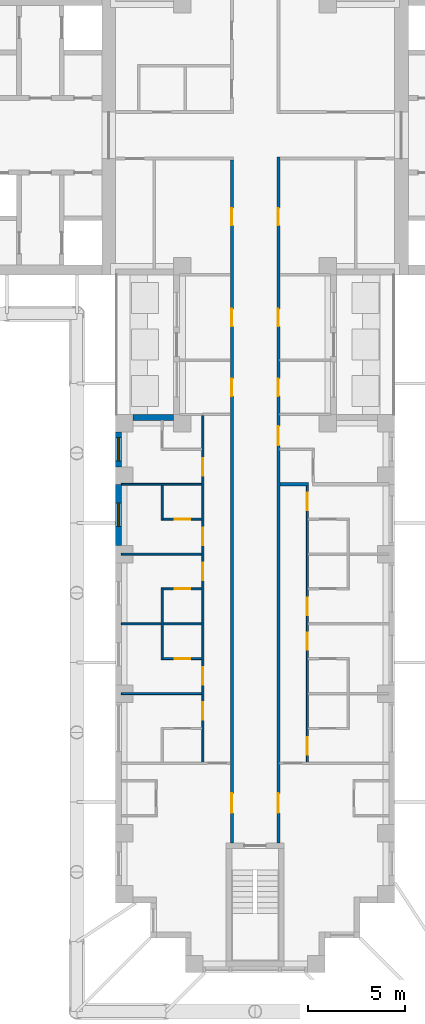
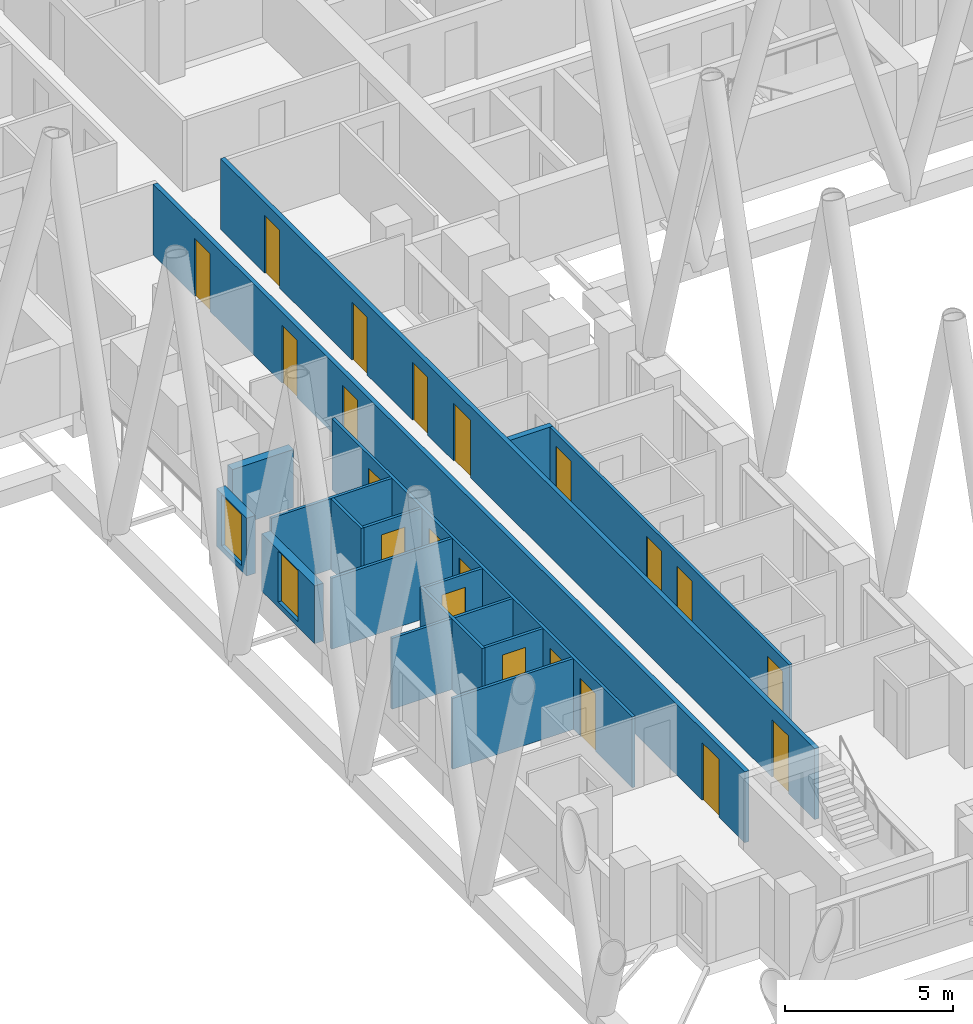
# One storey, part 5 of 16: 21 doors, 17 walls, 2 windows, 23 openings.
"""IFC4 building model written with IfcOpenShell, lengths in metres."""

from ifc_helpers import new_model, si_unit, direction, frame, frame_2d, origin, place, context, subcontext, project, spatial, rectangle, extrude, material, layer, layer_set, type_object, element, fill, save


model = new_model("IFC4")

# Units and contexts
model_context = context("Model", 3, precision=1e-05, world=origin(), true_north=direction((0.0, 1.0)))
body_context = subcontext(model_context, "Body", "Model", "MODEL_VIEW")
ifc_project = project(units=[si_unit("LENGTHUNIT", "METRE"), si_unit("AREAUNIT", "SQUARE_METRE"), si_unit("VOLUMEUNIT", "CUBIC_METRE"), si_unit("PLANEANGLEUNIT", "RADIAN"), si_unit("MASSUNIT", "GRAM", prefix="KILO")], contexts=[model_context])

# Site, building, storey
site_placement = place(None, origin())
site = spatial("IfcSite", under=ifc_project, at=site_placement, CompositionType="ELEMENT")
building_placement = place(site_placement, origin())
building = spatial("IfcBuilding", under=site, at=building_placement, Name="Fustian Cross Tower", CompositionType="ELEMENT")
storey_placement = place(building_placement, frame((0.0, 0.0, 66.89990234375)))
storey = spatial("IfcBuildingStorey", under=building, at=storey_placement, Name="L20", CompositionType="ELEMENT", Elevation=66.89990234375)

# Wall, openings, doors
ifc_material_1 = material(Name="Plasterboard on steel stud", Category="steel")
ifc_layer_1 = layer(ifc_material_1, 0.14990234375)
ifc_layer_set_1 = layer_set([ifc_layer_1], Name="Plasterboard on steel stud")
wall_type_1 = type_object("IfcWallType", Name="COMPARTMENT WALL 150 EI 60", PredefinedType="PARTITIONING", material=ifc_layer_set_1)
wall_1_placement = place(storey_placement, frame((-1.199951171875, -36.5, 0.0), z_axis=(0.0, 0.0, 1.0), x_axis=(0.0, 1.0, 0.0)))
wall_1 = element("IfcWall", 1, at=wall_1_placement, inside=storey, type_object=wall_type_1, Name="Partition 49", PredefinedType="PARTITIONING", context=body_context, shape_type="SweptSolid", body=[
    extrude(rectangle(XDim=35.22509765625, YDim=0.14990234375, at=frame_2d((17.612548828125, 0.0))), origin(), (0.0, 0.0, 1.0), 2.5751953125),
])
opening_1_placement = place(wall_1_placement, frame((31.85009765625, 0.0, 0.0)))
opening_1 = element("IfcOpeningElement", 2, at=opening_1_placement, cuts=wall_1, Name="Opening D11007", PredefinedType="OPENING", context=body_context, shape_type="SweptSolid", body=[
    extrude(rectangle(XDim=0.89990234375, YDim=2.10009765625, at=frame_2d((0.449951171875, 1.050048828125))), frame((0.0, 0.0849609375, 0.0), z_axis=(0.0, -1.0, 0.0), x_axis=(1.0, 0.0, 0.0)), (0.0, 0.0, 1.0), 0.169921875),
])
opening_2_placement = place(wall_1_placement, frame((23.050048828125, 0.0, 0.0)))
opening_2 = element("IfcOpeningElement", 3, at=opening_2_placement, cuts=wall_1, Name="Opening D11051", PredefinedType="OPENING", context=body_context, shape_type="SweptSolid", body=[
    extrude(rectangle(XDim=0.89990234375, YDim=2.10009765625, at=frame_2d((0.449951171875, 1.050048828125))), frame((0.0, 0.0849609375, 0.0), z_axis=(0.0, -1.0, 0.0), x_axis=(1.0, 0.0, 0.0)), (0.0, 0.0, 1.0), 0.169921875),
])
opening_3_placement = place(wall_1_placement, frame((26.64990234375, 0.0, 0.0)))
opening_3 = element("IfcOpeningElement", 4, at=opening_3_placement, cuts=wall_1, Name="Opening D11052", PredefinedType="OPENING", context=body_context, shape_type="SweptSolid", body=[
    extrude(rectangle(XDim=0.89990234375, YDim=2.10009765625, at=frame_2d((0.449951171875, 1.050048828125))), frame((0.0, 0.0849609375, 0.0), z_axis=(0.0, -1.0, 0.0), x_axis=(1.0, 0.0, 0.0)), (0.0, 0.0, 1.0), 0.169921875),
])
opening_4_placement = place(wall_1_placement, frame((1.550048828125, 0.0, 0.0)))
opening_4 = element("IfcOpeningElement", 5, at=opening_4_placement, cuts=wall_1, Name="Opening D11054", PredefinedType="OPENING", context=body_context, shape_type="SweptSolid", body=[
    extrude(rectangle(XDim=1.0, YDim=2.10009765625, at=frame_2d((0.5, 1.050048828125))), frame((0.0, 0.0849609375, 0.0), z_axis=(0.0, -1.0, 0.0), x_axis=(1.0, 0.0, 0.0)), (0.0, 0.0, 1.0), 0.169921875),
])
ifc_material_2 = material(Name="Timber fire door set", Category="wood")
door_type_1 = type_object("IfcDoorType", Name="FIRE SWING DOOR 1000 FD30S", OperationType="SINGLE_SWING_LEFT", PredefinedType="DOOR", material=ifc_material_2)
door_1_placement = place(opening_4_placement, origin())
door_1 = element("IfcDoor", 6, at=door_1_placement, inside=storey, type_object=door_type_1, Name="Door D11054", OperationType="SINGLE_SWING_RIGHT", OverallHeight=2.10009765625, OverallWidth=1.0, PredefinedType="DOOR", context=body_context, shape_type="SweptSolid", body=[
    extrude(rectangle(XDim=1.0, YDim=2.10009765625, at=frame_2d((0.5, 1.050048828125))), frame((0.0, 0.02490234375, 0.0), z_axis=(0.0, -1.0, 0.0), x_axis=(1.0, 0.0, 0.0)), (0.0, 0.0, 1.0), 0.050048828125),
])
fill(opening_4, door_1)
ifc_material_3 = material(Name="Timber fire door set", Category="wood")
door_type_2 = type_object("IfcDoorType", Name="FIRE SWING DOOR 900 FD30S", OperationType="SINGLE_SWING_LEFT", PredefinedType="DOOR", material=ifc_material_3)
door_2_placement = place(opening_1_placement, origin())
door_2 = element("IfcDoor", 7, at=door_2_placement, inside=storey, type_object=door_type_2, Name="Door D11007", OperationType="SINGLE_SWING_LEFT", OverallHeight=2.10009765625, OverallWidth=0.89990234375, PredefinedType="DOOR", context=body_context, shape_type="SweptSolid", body=[
    extrude(rectangle(XDim=0.89990234375, YDim=2.10009765625, at=frame_2d((0.449951171875, 1.050048828125))), frame((0.0, 0.02490234375, 0.0), z_axis=(0.0, -1.0, 0.0), x_axis=(1.0, 0.0, 0.0)), (0.0, 0.0, 1.0), 0.050048828125),
])
fill(opening_1, door_2)
door_3_placement = place(opening_2_placement, origin())
door_3 = element("IfcDoor", 8, at=door_3_placement, inside=storey, type_object=door_type_2, Name="Door D11051", OperationType="SINGLE_SWING_LEFT", OverallHeight=2.10009765625, OverallWidth=0.89990234375, PredefinedType="DOOR", context=body_context, shape_type="SweptSolid", body=[
    extrude(rectangle(XDim=0.89990234375, YDim=2.10009765625, at=frame_2d((0.449951171875, 1.050048828125))), frame((0.0, 0.02490234375, 0.0), z_axis=(0.0, -1.0, 0.0), x_axis=(1.0, 0.0, 0.0)), (0.0, 0.0, 1.0), 0.050048828125),
])
fill(opening_2, door_3)
door_4_placement = place(opening_3_placement, origin())
door_4 = element("IfcDoor", 9, at=door_4_placement, inside=storey, type_object=door_type_2, Name="Door D11052", OperationType="SINGLE_SWING_LEFT", OverallHeight=2.10009765625, OverallWidth=0.89990234375, PredefinedType="DOOR", context=body_context, shape_type="SweptSolid", body=[
    extrude(rectangle(XDim=0.89990234375, YDim=2.10009765625, at=frame_2d((0.449951171875, 1.050048828125))), frame((0.0, 0.02490234375, 0.0), z_axis=(0.0, -1.0, 0.0), x_axis=(1.0, 0.0, 0.0)), (0.0, 0.0, 1.0), 0.050048828125),
])
fill(opening_3, door_4)

wall_2_placement = place(storey_placement, frame((1.199951171875, -36.5, 0.0), z_axis=(0.0, 0.0, 1.0), x_axis=(0.0, 1.0, 0.0)))
wall_2 = element("IfcWall", 10, at=wall_2_placement, inside=storey, type_object=wall_type_1, Name="Partition 52", PredefinedType="PARTITIONING", context=body_context, shape_type="SweptSolid", body=[
    extrude(rectangle(XDim=35.375, YDim=0.14990234375, at=frame_2d((17.6875, 0.0))), origin(), (0.0, 0.0, 1.0), 2.5751953125),
])
opening_5_placement = place(wall_2_placement, frame((31.85009765625, 0.0, 0.0)))
opening_5 = element("IfcOpeningElement", 11, at=opening_5_placement, cuts=wall_2, Name="Opening D11005", PredefinedType="OPENING", context=body_context, shape_type="SweptSolid", body=[
    extrude(rectangle(XDim=0.89990234375, YDim=2.10009765625, at=frame_2d((0.449951171875, 1.050048828125))), frame((0.0, 0.0849609375, 0.0), z_axis=(0.0, -1.0, 0.0), x_axis=(1.0, 0.0, 0.0)), (0.0, 0.0, 1.0), 0.169921875),
])
opening_6_placement = place(wall_2_placement, frame((23.050048828125, 0.0, 0.0)))
opening_6 = element("IfcOpeningElement", 12, at=opening_6_placement, cuts=wall_2, Name="Opening D11036", PredefinedType="OPENING", context=body_context, shape_type="SweptSolid", body=[
    extrude(rectangle(XDim=0.89990234375, YDim=2.10009765625, at=frame_2d((0.449951171875, 1.050048828125))), frame((0.0, 0.0849609375, 0.0), z_axis=(0.0, -1.0, 0.0), x_axis=(1.0, 0.0, 0.0)), (0.0, 0.0, 1.0), 0.169921875),
])
opening_7_placement = place(wall_2_placement, frame((26.64990234375, 0.0, 0.0)))
opening_7 = element("IfcOpeningElement", 13, at=opening_7_placement, cuts=wall_2, Name="Opening D11037", PredefinedType="OPENING", context=body_context, shape_type="SweptSolid", body=[
    extrude(rectangle(XDim=0.89990234375, YDim=2.10009765625, at=frame_2d((0.449951171875, 1.050048828125))), frame((0.0, 0.0849609375, 0.0), z_axis=(0.0, -1.0, 0.0), x_axis=(1.0, 0.0, 0.0)), (0.0, 0.0, 1.0), 0.169921875),
])
opening_8_placement = place(wall_2_placement, frame((20.5, 0.0, 0.0)))
opening_8 = element("IfcOpeningElement", 14, at=opening_8_placement, cuts=wall_2, Name="Opening D11039", PredefinedType="OPENING", context=body_context, shape_type="SweptSolid", body=[
    extrude(rectangle(XDim=1.0, YDim=2.10009765625, at=frame_2d((0.5, 1.050048828125))), frame((0.0, 0.0849609375, 0.0), z_axis=(0.0, -1.0, 0.0), x_axis=(1.0, 0.0, 0.0)), (0.0, 0.0, 1.0), 0.169921875),
])
opening_9_placement = place(wall_2_placement, frame((1.550048828125, 0.0, 0.0)))
opening_9 = element("IfcOpeningElement", 15, at=opening_9_placement, cuts=wall_2, Name="Opening D11041", PredefinedType="OPENING", context=body_context, shape_type="SweptSolid", body=[
    extrude(rectangle(XDim=1.0, YDim=2.10009765625, at=frame_2d((0.5, 1.050048828125))), frame((0.0, 0.0849609375, 0.0), z_axis=(0.0, -1.0, 0.0), x_axis=(1.0, 0.0, 0.0)), (0.0, 0.0, 1.0), 0.169921875),
])
door_5_placement = place(opening_8_placement, frame((1.0, 0.0, 0.0), z_axis=(0.0, 0.0, 1.0), x_axis=(-1.0, 0.0, 0.0)))
door_5 = element("IfcDoor", 16, at=door_5_placement, inside=storey, type_object=door_type_1, Name="Door D11039", OperationType="SINGLE_SWING_RIGHT", OverallHeight=2.10009765625, OverallWidth=1.0, PredefinedType="DOOR", context=body_context, shape_type="SweptSolid", body=[
    extrude(rectangle(XDim=1.0, YDim=2.10009765625, at=frame_2d((0.5, 1.050048828125))), frame((0.0, 0.02490234375, 0.0), z_axis=(0.0, -1.0, 0.0), x_axis=(1.0, 0.0, 0.0)), (0.0, 0.0, 1.0), 0.050048828125),
])
fill(opening_8, door_5)
door_6_placement = place(opening_9_placement, frame((1.0, 0.0, 0.0), z_axis=(0.0, 0.0, 1.0), x_axis=(-1.0, 0.0, 0.0)))
door_6 = element("IfcDoor", 17, at=door_6_placement, inside=storey, type_object=door_type_1, Name="Door D11041", OperationType="SINGLE_SWING_LEFT", OverallHeight=2.10009765625, OverallWidth=1.0, PredefinedType="DOOR", context=body_context, shape_type="SweptSolid", body=[
    extrude(rectangle(XDim=1.0, YDim=2.10009765625, at=frame_2d((0.5, 1.050048828125))), frame((0.0, 0.02490234375, 0.0), z_axis=(0.0, -1.0, 0.0), x_axis=(1.0, 0.0, 0.0)), (0.0, 0.0, 1.0), 0.050048828125),
])
fill(opening_9, door_6)
door_7_placement = place(opening_5_placement, frame((0.89990234375, 0.0, 0.0), z_axis=(0.0, 0.0, 1.0), x_axis=(-1.0, 0.0, 0.0)))
door_7 = element("IfcDoor", 18, at=door_7_placement, inside=storey, type_object=door_type_2, Name="Door D11005", OperationType="SINGLE_SWING_RIGHT", OverallHeight=2.10009765625, OverallWidth=0.89990234375, PredefinedType="DOOR", context=body_context, shape_type="SweptSolid", body=[
    extrude(rectangle(XDim=0.89990234375, YDim=2.10009765625, at=frame_2d((0.449951171875, 1.050048828125))), frame((0.0, 0.02490234375, 0.0), z_axis=(0.0, -1.0, 0.0), x_axis=(1.0, 0.0, 0.0)), (0.0, 0.0, 1.0), 0.050048828125),
])
fill(opening_5, door_7)
door_8_placement = place(opening_6_placement, frame((0.89990234375, 0.0, 0.0), z_axis=(0.0, 0.0, 1.0), x_axis=(-1.0, 0.0, 0.0)))
door_8 = element("IfcDoor", 19, at=door_8_placement, inside=storey, type_object=door_type_2, Name="Door D11036", OperationType="SINGLE_SWING_RIGHT", OverallHeight=2.10009765625, OverallWidth=0.89990234375, PredefinedType="DOOR", context=body_context, shape_type="SweptSolid", body=[
    extrude(rectangle(XDim=0.89990234375, YDim=2.10009765625, at=frame_2d((0.449951171875, 1.050048828125))), frame((0.0, 0.02490234375, 0.0), z_axis=(0.0, -1.0, 0.0), x_axis=(1.0, 0.0, 0.0)), (0.0, 0.0, 1.0), 0.050048828125),
])
fill(opening_6, door_8)
door_9_placement = place(opening_7_placement, frame((0.89990234375, 0.0, 0.0), z_axis=(0.0, 0.0, 1.0), x_axis=(-1.0, 0.0, 0.0)))
door_9 = element("IfcDoor", 20, at=door_9_placement, inside=storey, type_object=door_type_2, Name="Door D11037", OperationType="SINGLE_SWING_RIGHT", OverallHeight=2.10009765625, OverallWidth=0.89990234375, PredefinedType="DOOR", context=body_context, shape_type="SweptSolid", body=[
    extrude(rectangle(XDim=0.89990234375, YDim=2.10009765625, at=frame_2d((0.449951171875, 1.050048828125))), frame((0.0, 0.02490234375, 0.0), z_axis=(0.0, -1.0, 0.0), x_axis=(1.0, 0.0, 0.0)), (0.0, 0.0, 1.0), 0.050048828125),
])
fill(opening_7, door_9)

# Walls
ifc_material_4 = material(Name="Plasterboard on steel stud", Category="steel")
ifc_layer_2 = layer(ifc_material_4, 0.10009765625)
ifc_layer_set_2 = layer_set([ifc_layer_2], Name="Plasterboard on steel stud")
wall_type_2 = type_object("IfcWallType", Name="PARTITION 100 STUD", PredefinedType="PARTITIONING", material=ifc_layer_set_2)
for number, where, z_axis, x_axis, name in (
    (21, (-6.89990234375, -28.800048828125, 0.0), (0.0, 0.0, 1.0), (1.0, 0.0, 0.0), "Partition 21"),
    (22, (-6.89990234375, -25.199951171875, 0.0), (0.0, 0.0, 1.0), (1.0, 0.0, 0.0), "Partition 22"),
    (23, (-6.89990234375, -21.60009765625, 0.0), (0.0, 0.0, 1.0), (1.0, 0.0, 0.0), "Partition 23"),
    (24, (-6.89990234375, -18.0, 0.0), (0.0, 0.0, 1.0), (1.0, 0.0, 0.0), "Partition 24"),
):
    element("IfcWall", number, at=place(storey_placement, frame(where, z_axis=z_axis, x_axis=x_axis)), inside=storey, type_object=wall_type_2, Name=name, PredefinedType="PARTITIONING", context=body_context, shape_type="SweptSolid", body=[
        extrude(rectangle(XDim=4.14990234375, YDim=0.10009765625, at=frame_2d((2.074951171875, 0.0))), origin(), (0.0, 0.0, 1.0), 2.5751953125),
    ])
wall_3_placement = place(storey_placement, frame((-4.800048828125, -27.050048828125, 0.0), z_axis=(0.0, 0.0, 1.0), x_axis=(0.0, 1.0, 0.0)))
element("IfcWall", 25, at=wall_3_placement, inside=storey, type_object=wall_type_2, Name="Partition 31", PredefinedType="PARTITIONING", context=body_context, shape_type="SweptSolid", body=[
    extrude(rectangle(XDim=3.699951171875, YDim=0.10009765625, at=frame_2d((1.85009765625, 0.0))), origin(), (0.0, 0.0, 1.0), 2.5751953125),
])

# Wall, opening, door
wall_4_placement = place(storey_placement, frame((-4.75, -27.0, 0.0), z_axis=(0.0, 0.0, 1.0), x_axis=(1.0, 0.0, 0.0)))
wall_4 = element("IfcWall", 26, at=wall_4_placement, inside=storey, type_object=wall_type_2, Name="Partition 32", PredefinedType="PARTITIONING", context=body_context, shape_type="SweptSolid", body=[
    extrude(rectangle(XDim=2.0, YDim=0.10009765625, at=frame_2d((1.0, 0.0))), origin(), (0.0, 0.0, 1.0), 2.5751953125),
])
opening_10_placement = place(wall_4_placement, frame((0.60009765625, 0.0, 0.0)))
opening_10 = element("IfcOpeningElement", 27, at=opening_10_placement, cuts=wall_4, Name="Opening D11064", PredefinedType="OPENING", context=body_context, shape_type="SweptSolid", body=[
    extrude(rectangle(XDim=0.800048828125, YDim=2.10009765625, at=frame_2d((0.39990234375, 1.050048828125))), frame((0.0, 0.06005859375, 0.0), z_axis=(0.0, -1.0, 0.0), x_axis=(1.0, 0.0, 0.0)), (0.0, 0.0, 1.0), 0.1201171875),
])
ifc_material_5 = material(Name="Painted timber", Category="wood")
door_type_3 = type_object("IfcDoorType", Name="SWING DOOR 800", OperationType="SINGLE_SWING_LEFT", PredefinedType="DOOR", material=ifc_material_5)
door_10_placement = place(opening_10_placement, origin())
door_10 = element("IfcDoor", 28, at=door_10_placement, inside=storey, type_object=door_type_3, Name="Door D11064", OperationType="SINGLE_SWING_LEFT", OverallHeight=2.10009765625, OverallWidth=0.800048828125, PredefinedType="DOOR", context=body_context, shape_type="SweptSolid", body=[
    extrude(rectangle(XDim=0.800048828125, YDim=2.10009765625, at=frame_2d((0.39990234375, 1.050048828125))), frame((0.0, 0.02490234375, 0.0), z_axis=(0.0, -1.0, 0.0), x_axis=(1.0, 0.0, 0.0)), (0.0, 0.0, 1.0), 0.050048828125),
])
fill(opening_10, door_10)

wall_5_placement = place(storey_placement, frame((-4.75, -23.39990234375, 0.0), z_axis=(0.0, 0.0, 1.0), x_axis=(1.0, 0.0, 0.0)))
wall_5 = element("IfcWall", 29, at=wall_5_placement, inside=storey, type_object=wall_type_2, Name="Partition 33", PredefinedType="PARTITIONING", context=body_context, shape_type="SweptSolid", body=[
    extrude(rectangle(XDim=2.0, YDim=0.10009765625, at=frame_2d((1.0, 0.0))), origin(), (0.0, 0.0, 1.0), 2.5751953125),
])
opening_11_placement = place(wall_5_placement, frame((0.60009765625, 0.0, 0.0)))
opening_11 = element("IfcOpeningElement", 30, at=opening_11_placement, cuts=wall_5, Name="Opening D11063", PredefinedType="OPENING", context=body_context, shape_type="SweptSolid", body=[
    extrude(rectangle(XDim=0.800048828125, YDim=2.10009765625, at=frame_2d((0.39990234375, 1.050048828125))), frame((0.0, 0.06005859375, 0.0), z_axis=(0.0, -1.0, 0.0), x_axis=(1.0, 0.0, 0.0)), (0.0, 0.0, 1.0), 0.1201171875),
])
door_11_placement = place(opening_11_placement, frame((0.800048828125, 0.0, 0.0), z_axis=(0.0, 0.0, 1.0), x_axis=(-1.0, 0.0, 0.0)))
door_11 = element("IfcDoor", 31, at=door_11_placement, inside=storey, type_object=door_type_3, Name="Door D11063", OperationType="SINGLE_SWING_RIGHT", OverallHeight=2.10009765625, OverallWidth=0.800048828125, PredefinedType="DOOR", context=body_context, shape_type="SweptSolid", body=[
    extrude(rectangle(XDim=0.800048828125, YDim=2.10009765625, at=frame_2d((0.39990234375, 1.050048828125))), frame((0.0, 0.02490234375, 0.0), z_axis=(0.0, -1.0, 0.0), x_axis=(1.0, 0.0, 0.0)), (0.0, 0.0, 1.0), 0.050048828125),
])
fill(opening_11, door_11)

# Wall
wall_6_placement = place(storey_placement, frame((-4.800048828125, -19.85009765625, 0.0), z_axis=(0.0, 0.0, 1.0), x_axis=(0.0, 1.0, 0.0)))
element("IfcWall", 32, at=wall_6_placement, inside=storey, type_object=wall_type_2, Name="Partition 34", PredefinedType="PARTITIONING", context=body_context, shape_type="SweptSolid", body=[
    extrude(rectangle(XDim=1.800048828125, YDim=0.10009765625, at=frame_2d((0.89990234375, 0.0))), origin(), (0.0, 0.0, 1.0), 2.5751953125),
])

# Wall, opening, door
wall_7_placement = place(storey_placement, frame((-4.75, -19.800048828125, 0.0), z_axis=(0.0, 0.0, 1.0), x_axis=(1.0, 0.0, 0.0)))
wall_7 = element("IfcWall", 33, at=wall_7_placement, inside=storey, type_object=wall_type_2, Name="Partition 35", PredefinedType="PARTITIONING", context=body_context, shape_type="SweptSolid", body=[
    extrude(rectangle(XDim=2.0, YDim=0.10009765625, at=frame_2d((1.0, 0.0))), origin(), (0.0, 0.0, 1.0), 2.5751953125),
])
opening_12_placement = place(wall_7_placement, frame((0.60009765625, 0.0, 0.0)))
opening_12 = element("IfcOpeningElement", 34, at=opening_12_placement, cuts=wall_7, Name="Opening D11062", PredefinedType="OPENING", context=body_context, shape_type="SweptSolid", body=[
    extrude(rectangle(XDim=0.800048828125, YDim=2.10009765625, at=frame_2d((0.39990234375, 1.050048828125))), frame((0.0, 0.06005859375, 0.0), z_axis=(0.0, -1.0, 0.0), x_axis=(1.0, 0.0, 0.0)), (0.0, 0.0, 1.0), 0.1201171875),
])
door_12_placement = place(opening_12_placement, origin())
door_12 = element("IfcDoor", 35, at=door_12_placement, inside=storey, type_object=door_type_3, Name="Door D11062", OperationType="SINGLE_SWING_LEFT", OverallHeight=2.10009765625, OverallWidth=0.800048828125, PredefinedType="DOOR", context=body_context, shape_type="SweptSolid", body=[
    extrude(rectangle(XDim=0.800048828125, YDim=2.10009765625, at=frame_2d((0.39990234375, 1.050048828125))), frame((0.0, 0.02490234375, 0.0), z_axis=(0.0, -1.0, 0.0), x_axis=(1.0, 0.0, 0.0)), (0.0, 0.0, 1.0), 0.050048828125),
])
fill(opening_12, door_12)

# Wall, openings, doors
wall_8_placement = place(storey_placement, frame((-2.699951171875, -32.35009765625, 0.0), z_axis=(0.0, 0.0, 1.0), x_axis=(0.0, 1.0, 0.0)))
wall_8 = element("IfcWall", 36, at=wall_8_placement, inside=storey, type_object=wall_type_2, Name="Partition 47", PredefinedType="PARTITIONING", context=body_context, shape_type="SweptSolid", body=[
    extrude(rectangle(XDim=17.8876953125, YDim=0.10009765625, at=frame_2d((8.94384765625, 0.0))), origin(), (0.0, 0.0, 1.0), 2.5751953125),
])
opening_13_placement = place(wall_8_placement, frame((2.199951171875, 0.0, 0.0)))
opening_13 = element("IfcOpeningElement", 37, at=opening_13_placement, cuts=wall_8, Name="Opening D11055", PredefinedType="OPENING", context=body_context, shape_type="SweptSolid", body=[
    extrude(rectangle(XDim=0.89990234375, YDim=2.10009765625, at=frame_2d((0.449951171875, 1.050048828125))), frame((0.0, 0.06005859375, 0.0), z_axis=(0.0, -1.0, 0.0), x_axis=(1.0, 0.0, 0.0)), (0.0, 0.0, 1.0), 0.1201171875),
])
opening_14_placement = place(wall_8_placement, frame((4.0, 0.0, 0.0)))
opening_14 = element("IfcOpeningElement", 38, at=opening_14_placement, cuts=wall_8, Name="Opening D11056", PredefinedType="OPENING", context=body_context, shape_type="SweptSolid", body=[
    extrude(rectangle(XDim=0.89990234375, YDim=2.10009765625, at=frame_2d((0.449951171875, 1.050048828125))), frame((0.0, 0.06005859375, 0.0), z_axis=(0.0, -1.0, 0.0), x_axis=(1.0, 0.0, 0.0)), (0.0, 0.0, 1.0), 0.1201171875),
])
opening_15_placement = place(wall_8_placement, frame((9.39990234375, 0.0, 0.0)))
opening_15 = element("IfcOpeningElement", 39, at=opening_15_placement, cuts=wall_8, Name="Opening D11057", PredefinedType="OPENING", context=body_context, shape_type="SweptSolid", body=[
    extrude(rectangle(XDim=0.89990234375, YDim=2.10009765625, at=frame_2d((0.449951171875, 1.050048828125))), frame((0.0, 0.06005859375, 0.0), z_axis=(0.0, -1.0, 0.0), x_axis=(1.0, 0.0, 0.0)), (0.0, 0.0, 1.0), 0.1201171875),
])
opening_16_placement = place(wall_8_placement, frame((11.199951171875, 0.0, 0.0)))
opening_16 = element("IfcOpeningElement", 40, at=opening_16_placement, cuts=wall_8, Name="Opening D11058", PredefinedType="OPENING", context=body_context, shape_type="SweptSolid", body=[
    extrude(rectangle(XDim=0.89990234375, YDim=2.10009765625, at=frame_2d((0.449951171875, 1.050048828125))), frame((0.0, 0.06005859375, 0.0), z_axis=(0.0, -1.0, 0.0), x_axis=(1.0, 0.0, 0.0)), (0.0, 0.0, 1.0), 0.1201171875),
])
opening_17_placement = place(wall_8_placement, frame((14.800048828125, 0.0, 0.0)))
opening_17 = element("IfcOpeningElement", 41, at=opening_17_placement, cuts=wall_8, Name="Opening D11059", PredefinedType="OPENING", context=body_context, shape_type="SweptSolid", body=[
    extrude(rectangle(XDim=0.89990234375, YDim=2.10009765625, at=frame_2d((0.449951171875, 1.050048828125))), frame((0.0, 0.06005859375, 0.0), z_axis=(0.0, -1.0, 0.0), x_axis=(1.0, 0.0, 0.0)), (0.0, 0.0, 1.0), 0.1201171875),
])
ifc_material_6 = material(Name="Painted timber", Category="wood")
door_type_4 = type_object("IfcDoorType", Name="SWING DOOR 900", OperationType="SINGLE_SWING_LEFT", PredefinedType="DOOR", material=ifc_material_6)
door_13_placement = place(opening_13_placement, origin())
door_13 = element("IfcDoor", 42, at=door_13_placement, inside=storey, type_object=door_type_4, Name="Door D11055", OperationType="SINGLE_SWING_LEFT", OverallHeight=2.10009765625, OverallWidth=0.89990234375, PredefinedType="DOOR", context=body_context, shape_type="SweptSolid", body=[
    extrude(rectangle(XDim=0.89990234375, YDim=2.10009765625, at=frame_2d((0.449951171875, 1.050048828125))), frame((0.0, 0.02490234375, 0.0), z_axis=(0.0, -1.0, 0.0), x_axis=(1.0, 0.0, 0.0)), (0.0, 0.0, 1.0), 0.050048828125),
])
fill(opening_13, door_13)
door_14_placement = place(opening_14_placement, origin())
door_14 = element("IfcDoor", 43, at=door_14_placement, inside=storey, type_object=door_type_4, Name="Door D11056", OperationType="SINGLE_SWING_LEFT", OverallHeight=2.10009765625, OverallWidth=0.89990234375, PredefinedType="DOOR", context=body_context, shape_type="SweptSolid", body=[
    extrude(rectangle(XDim=0.89990234375, YDim=2.10009765625, at=frame_2d((0.449951171875, 1.050048828125))), frame((0.0, 0.02490234375, 0.0), z_axis=(0.0, -1.0, 0.0), x_axis=(1.0, 0.0, 0.0)), (0.0, 0.0, 1.0), 0.050048828125),
])
fill(opening_14, door_14)
door_15_placement = place(opening_15_placement, origin())
door_15 = element("IfcDoor", 44, at=door_15_placement, inside=storey, type_object=door_type_4, Name="Door D11057", OperationType="SINGLE_SWING_LEFT", OverallHeight=2.10009765625, OverallWidth=0.89990234375, PredefinedType="DOOR", context=body_context, shape_type="SweptSolid", body=[
    extrude(rectangle(XDim=0.89990234375, YDim=2.10009765625, at=frame_2d((0.449951171875, 1.050048828125))), frame((0.0, 0.02490234375, 0.0), z_axis=(0.0, -1.0, 0.0), x_axis=(1.0, 0.0, 0.0)), (0.0, 0.0, 1.0), 0.050048828125),
])
fill(opening_15, door_15)
door_16_placement = place(opening_16_placement, origin())
door_16 = element("IfcDoor", 45, at=door_16_placement, inside=storey, type_object=door_type_4, Name="Door D11058", OperationType="SINGLE_SWING_LEFT", OverallHeight=2.10009765625, OverallWidth=0.89990234375, PredefinedType="DOOR", context=body_context, shape_type="SweptSolid", body=[
    extrude(rectangle(XDim=0.89990234375, YDim=2.10009765625, at=frame_2d((0.449951171875, 1.050048828125))), frame((0.0, 0.02490234375, 0.0), z_axis=(0.0, -1.0, 0.0), x_axis=(1.0, 0.0, 0.0)), (0.0, 0.0, 1.0), 0.050048828125),
])
fill(opening_16, door_16)
door_17_placement = place(opening_17_placement, origin())
door_17 = element("IfcDoor", 46, at=door_17_placement, inside=storey, type_object=door_type_4, Name="Door D11059", OperationType="SINGLE_SWING_LEFT", OverallHeight=2.10009765625, OverallWidth=0.89990234375, PredefinedType="DOOR", context=body_context, shape_type="SweptSolid", body=[
    extrude(rectangle(XDim=0.89990234375, YDim=2.10009765625, at=frame_2d((0.449951171875, 1.050048828125))), frame((0.0, 0.02490234375, 0.0), z_axis=(0.0, -1.0, 0.0), x_axis=(1.0, 0.0, 0.0)), (0.0, 0.0, 1.0), 0.050048828125),
])
fill(opening_17, door_17)

wall_9_placement = place(storey_placement, frame((2.699951171875, -32.35009765625, 0.0), z_axis=(0.0, 0.0, 1.0), x_axis=(0.0, 1.0, 0.0)))
wall_9 = element("IfcWall", 47, at=wall_9_placement, inside=storey, type_object=wall_type_2, Name="Partition 67", PredefinedType="PARTITIONING", context=body_context, shape_type="SweptSolid", body=[
    extrude(rectangle(XDim=14.25, YDim=0.10009765625, at=frame_2d((7.125, 0.0))), origin(), (0.0, 0.0, 1.0), 2.5751953125),
])
opening_18_placement = place(wall_9_placement, frame((0.400146484375, 0.0, 0.0)))
opening_18 = element("IfcOpeningElement", 48, at=opening_18_placement, cuts=wall_9, Name="Opening D11043", PredefinedType="OPENING", context=body_context, shape_type="SweptSolid", body=[
    extrude(rectangle(XDim=0.89990234375, YDim=2.10009765625, at=frame_2d((0.449951171875, 1.050048828125))), frame((0.0, 0.06005859375, 0.0), z_axis=(0.0, -1.0, 0.0), x_axis=(1.0, 0.0, 0.0)), (0.0, 0.0, 1.0), 0.1201171875),
])
opening_19_placement = place(wall_9_placement, frame((5.800048828125, 0.0, 0.0)))
opening_19 = element("IfcOpeningElement", 49, at=opening_19_placement, cuts=wall_9, Name="Opening D11044", PredefinedType="OPENING", context=body_context, shape_type="SweptSolid", body=[
    extrude(rectangle(XDim=0.89990234375, YDim=2.10009765625, at=frame_2d((0.449951171875, 1.050048828125))), frame((0.0, 0.06005859375, 0.0), z_axis=(0.0, -1.0, 0.0), x_axis=(1.0, 0.0, 0.0)), (0.0, 0.0, 1.0), 0.1201171875),
])
opening_20_placement = place(wall_9_placement, frame((7.60009765625, 0.0, 0.0)))
opening_20 = element("IfcOpeningElement", 50, at=opening_20_placement, cuts=wall_9, Name="Opening D11045", PredefinedType="OPENING", context=body_context, shape_type="SweptSolid", body=[
    extrude(rectangle(XDim=0.89990234375, YDim=2.10009765625, at=frame_2d((0.449951171875, 1.050048828125))), frame((0.0, 0.06005859375, 0.0), z_axis=(0.0, -1.0, 0.0), x_axis=(1.0, 0.0, 0.0)), (0.0, 0.0, 1.0), 0.1201171875),
])
opening_21_placement = place(wall_9_placement, frame((13.0, 0.0, 0.0)))
opening_21 = element("IfcOpeningElement", 51, at=opening_21_placement, cuts=wall_9, Name="Opening D11046", PredefinedType="OPENING", context=body_context, shape_type="SweptSolid", body=[
    extrude(rectangle(XDim=0.89990234375, YDim=2.10009765625, at=frame_2d((0.449951171875, 1.050048828125))), frame((0.0, 0.06005859375, 0.0), z_axis=(0.0, -1.0, 0.0), x_axis=(1.0, 0.0, 0.0)), (0.0, 0.0, 1.0), 0.1201171875),
])
door_18_placement = place(opening_18_placement, frame((0.89990234375, 0.0, 0.0), z_axis=(0.0, 0.0, 1.0), x_axis=(-1.0, 0.0, 0.0)))
door_18 = element("IfcDoor", 52, at=door_18_placement, inside=storey, type_object=door_type_4, Name="Door D11043", OperationType="SINGLE_SWING_RIGHT", OverallHeight=2.10009765625, OverallWidth=0.89990234375, PredefinedType="DOOR", context=body_context, shape_type="SweptSolid", body=[
    extrude(rectangle(XDim=0.89990234375, YDim=2.10009765625, at=frame_2d((0.449951171875, 1.050048828125))), frame((0.0, 0.02490234375, 0.0), z_axis=(0.0, -1.0, 0.0), x_axis=(1.0, 0.0, 0.0)), (0.0, 0.0, 1.0), 0.050048828125),
])
fill(opening_18, door_18)
door_19_placement = place(opening_19_placement, frame((0.89990234375, 0.0, 0.0), z_axis=(0.0, 0.0, 1.0), x_axis=(-1.0, 0.0, 0.0)))
door_19 = element("IfcDoor", 53, at=door_19_placement, inside=storey, type_object=door_type_4, Name="Door D11044", OperationType="SINGLE_SWING_RIGHT", OverallHeight=2.10009765625, OverallWidth=0.89990234375, PredefinedType="DOOR", context=body_context, shape_type="SweptSolid", body=[
    extrude(rectangle(XDim=0.89990234375, YDim=2.10009765625, at=frame_2d((0.449951171875, 1.050048828125))), frame((0.0, 0.02490234375, 0.0), z_axis=(0.0, -1.0, 0.0), x_axis=(1.0, 0.0, 0.0)), (0.0, 0.0, 1.0), 0.050048828125),
])
fill(opening_19, door_19)
door_20_placement = place(opening_20_placement, frame((0.89990234375, 0.0, 0.0), z_axis=(0.0, 0.0, 1.0), x_axis=(-1.0, 0.0, 0.0)))
door_20 = element("IfcDoor", 54, at=door_20_placement, inside=storey, type_object=door_type_4, Name="Door D11045", OperationType="SINGLE_SWING_RIGHT", OverallHeight=2.10009765625, OverallWidth=0.89990234375, PredefinedType="DOOR", context=body_context, shape_type="SweptSolid", body=[
    extrude(rectangle(XDim=0.89990234375, YDim=2.10009765625, at=frame_2d((0.449951171875, 1.050048828125))), frame((0.0, 0.02490234375, 0.0), z_axis=(0.0, -1.0, 0.0), x_axis=(1.0, 0.0, 0.0)), (0.0, 0.0, 1.0), 0.050048828125),
])
fill(opening_20, door_20)
door_21_placement = place(opening_21_placement, frame((0.89990234375, 0.0, 0.0), z_axis=(0.0, 0.0, 1.0), x_axis=(-1.0, 0.0, 0.0)))
door_21 = element("IfcDoor", 55, at=door_21_placement, inside=storey, type_object=door_type_4, Name="Door D11046", OperationType="SINGLE_SWING_RIGHT", OverallHeight=2.10009765625, OverallWidth=0.89990234375, PredefinedType="DOOR", context=body_context, shape_type="SweptSolid", body=[
    extrude(rectangle(XDim=0.89990234375, YDim=2.10009765625, at=frame_2d((0.449951171875, 1.050048828125))), frame((0.0, 0.02490234375, 0.0), z_axis=(0.0, -1.0, 0.0), x_axis=(1.0, 0.0, 0.0)), (0.0, 0.0, 1.0), 0.050048828125),
])
fill(opening_21, door_21)

# Walls
ifc_material_7 = material(Name="Plasterboard on steel stud", Category="steel")
ifc_layer_3 = layer(ifc_material_7, 0.199951171875)
ifc_layer_set_3 = layer_set([ifc_layer_3], Name="Plasterboard on steel stud")
wall_type_3 = type_object("IfcWallType", Name="PARTY WALL 200 EI 60", PredefinedType="PARTITIONING", material=ifc_layer_set_3)
wall_10_placement = place(storey_placement, frame((1.27490234375, -18.0, 0.0), z_axis=(0.0, 0.0, 1.0), x_axis=(1.0, 0.0, 0.0)))
element("IfcWall", 56, at=wall_10_placement, inside=storey, type_object=wall_type_3, Name="Partition 54", PredefinedType="PARTITIONING", context=body_context, shape_type="SweptSolid", body=[
    extrude(rectangle(XDim=1.47509765625, YDim=0.199951171875, at=frame_2d((0.737548828125, 0.0))), origin(), (0.0, 0.0, 1.0), 2.5751953125),
])
ifc_material_8 = material(Name="Dark aluminium cladding on insulated backing wall", Category="aluminium")
ifc_layer_4 = layer(ifc_material_8, 0.300048828125)
ifc_layer_set_4 = layer_set([ifc_layer_4], Name="Dark aluminium cladding on insulated backing wall")
wall_type_4 = type_object("IfcWallType", Name="XW1 EXTERNAL WALL 300", PredefinedType="SOLIDWALL", material=ifc_layer_set_4)
wall_11_placement = place(storey_placement, frame((-4.199951171875, -14.550048828125, 0.0), z_axis=(0.0, 0.0, 1.0), x_axis=(-1.0, 0.0, 0.0)))
element("IfcWall", 57, at=wall_11_placement, inside=storey, type_object=wall_type_4, Name="External wall", PredefinedType="SOLIDWALL", context=body_context, shape_type="SweptSolid", body=[
    extrude(rectangle(XDim=2.10009765625, YDim=0.300048828125, at=frame_2d((1.050048828125, 0.0))), origin(), (0.0, 0.0, 1.0), 2.10009765625),
])

# Wall, opening, window
wall_12_placement = place(storey_placement, frame((-7.050048828125, -15.300048828125, 0.0), z_axis=(0.0, 0.0, 1.0), x_axis=(0.0, -1.0, 0.0)))
wall_12 = element("IfcWall", 58, at=wall_12_placement, inside=storey, type_object=wall_type_4, Name="External wall", PredefinedType="SOLIDWALL", context=body_context, shape_type="SweptSolid", body=[
    extrude(rectangle(XDim=1.800048828125, YDim=0.300048828125, at=frame_2d((0.89990234375, 0.0))), origin(), (0.0, 0.0, 1.0), 2.10009765625),
])
opening_22_placement = place(wall_12_placement, frame((0.300048828125, 0.0, 0.199951171875)))
opening_22 = element("IfcOpeningElement", 59, at=opening_22_placement, cuts=wall_12, Name="Opening WN3", PredefinedType="OPENING", context=body_context, shape_type="SweptSolid", body=[
    extrude(rectangle(XDim=1.199951171875, YDim=1.85009765625, at=frame_2d((0.60009765625, 0.925048828125))), frame((0.0, 0.159912109375, 0.0), z_axis=(0.0, -1.0, 0.0), x_axis=(1.0, 0.0, 0.0)), (0.0, 0.0, 1.0), 0.320068359375),
])
ifc_material_9 = material(Name="Dark anodised aluminium and double glazing", Category="aluminium")
window_type = type_object("IfcWindowType", Name="WN3 WINDOW 1200X1850", PartitioningType="SINGLE_PANEL", PredefinedType="WINDOW", material=ifc_material_9)
window_1_placement = place(opening_22_placement, origin())
window_1 = element("IfcWindow", 60, at=window_1_placement, inside=storey, type_object=window_type, Name="Window", OverallHeight=1.85009765625, OverallWidth=1.199951171875, PartitioningType="SINGLE_PANEL", PredefinedType="WINDOW", context=body_context, shape_type="SweptSolid", body=[
    extrude(rectangle(XDim=1.199951171875, YDim=1.85009765625, at=frame_2d((0.60009765625, 0.925048828125))), frame((0.0, 0.030029296875, 0.0), z_axis=(0.0, -1.0, 0.0), x_axis=(1.0, 0.0, 0.0)), (0.0, 0.0, 1.0), 0.06005859375),
])
fill(opening_22, window_1)

wall_13_placement = place(storey_placement, frame((-7.050048828125, -18.0, 0.0), z_axis=(0.0, 0.0, 1.0), x_axis=(0.0, -1.0, 0.0)))
wall_13 = element("IfcWall", 61, at=wall_13_placement, inside=storey, type_object=wall_type_4, Name="External wall", PredefinedType="SOLIDWALL", context=body_context, shape_type="SweptSolid", body=[
    extrude(rectangle(XDim=3.14990234375, YDim=0.300048828125, at=frame_2d((1.574951171875, 0.0))), origin(), (0.0, 0.0, 1.0), 2.10009765625),
])
opening_23_placement = place(wall_13_placement, frame((0.97509765625, 0.0, 0.199951171875)))
opening_23 = element("IfcOpeningElement", 62, at=opening_23_placement, cuts=wall_13, Name="Opening WN3", PredefinedType="OPENING", context=body_context, shape_type="SweptSolid", body=[
    extrude(rectangle(XDim=1.199951171875, YDim=1.85009765625, at=frame_2d((0.60009765625, 0.925048828125))), frame((0.0, 0.159912109375, 0.0), z_axis=(0.0, -1.0, 0.0), x_axis=(1.0, 0.0, 0.0)), (0.0, 0.0, 1.0), 0.320068359375),
])
window_2_placement = place(opening_23_placement, origin())
window_2 = element("IfcWindow", 63, at=window_2_placement, inside=storey, type_object=window_type, Name="Window", OverallHeight=1.85009765625, OverallWidth=1.199951171875, PartitioningType="SINGLE_PANEL", PredefinedType="WINDOW", context=body_context, shape_type="SweptSolid", body=[
    extrude(rectangle(XDim=1.199951171875, YDim=1.85009765625, at=frame_2d((0.60009765625, 0.925048828125))), frame((0.0, 0.030029296875, 0.0), z_axis=(0.0, -1.0, 0.0), x_axis=(1.0, 0.0, 0.0)), (0.0, 0.0, 1.0), 0.06005859375),
])
fill(opening_23, window_2)

save(model, "model.ifc")
